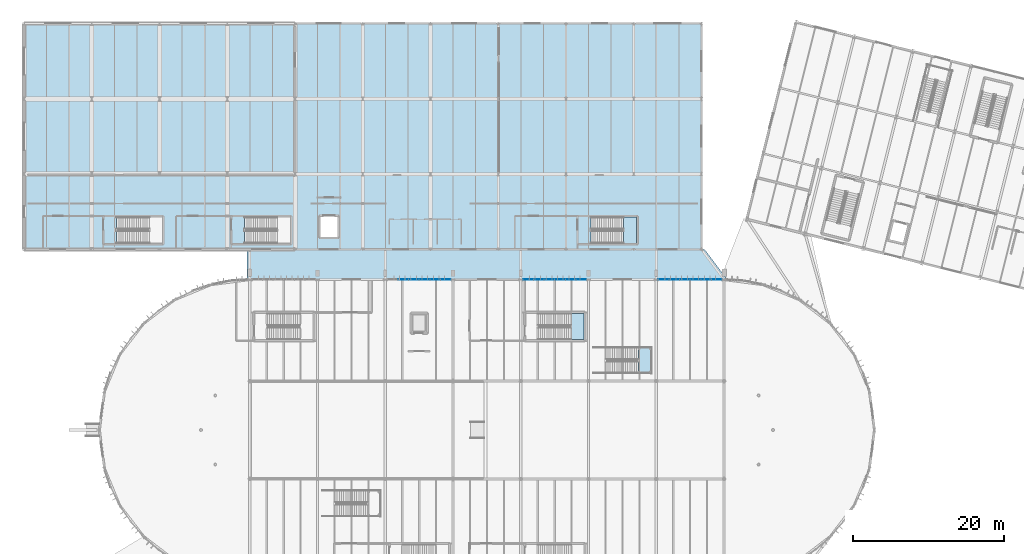
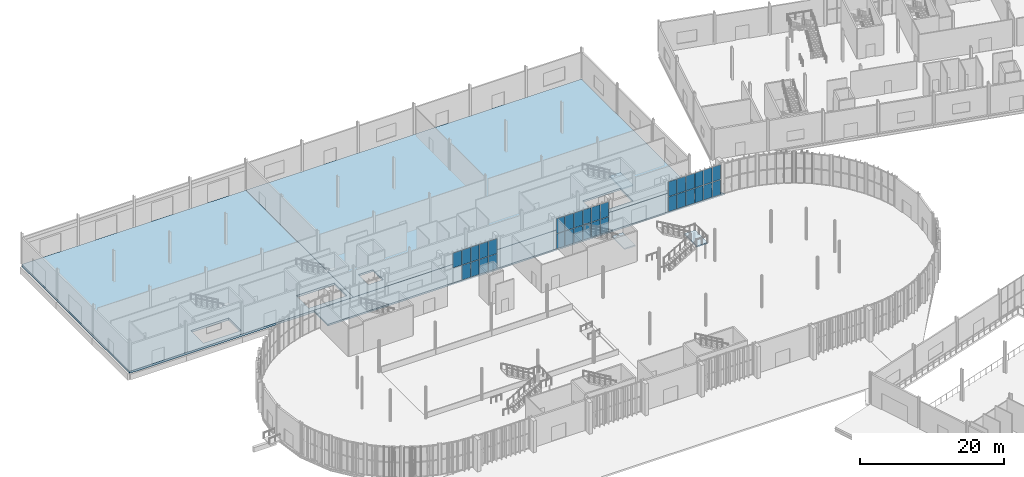
# One storey, part 111 of 158: 33 plates, 6 slabs, 6 elements without a shape of their own.
"""IFC4 building model written with IfcOpenShell, lengths in metres."""

from ifc_helpers import new_model, si_unit, derived_unit, direction, frame, origin, origin_2d, place, context, subcontext, project, spatial, polyline, rectangle, outline, extrude, material, layer, layer_set, type_object, element, aggregate, save


model = new_model("IFC4")

# Units and contexts
model_context = context("Model", 3, precision=1e-05, world=origin(), true_north=direction((0.0, 1.0)))
body_context = subcontext(model_context, "Body", "Model", "MODEL_VIEW")
ifc_project = project(units=[si_unit("LENGTHUNIT", "METRE"), si_unit("AREAUNIT", "SQUARE_METRE"), si_unit("VOLUMEUNIT", "CUBIC_METRE"), si_unit("PLANEANGLEUNIT", "RADIAN"), si_unit("MASSUNIT", "GRAM", prefix="KILO"), si_unit("THERMODYNAMICTEMPERATUREUNIT", "KELVIN"), si_unit("TIMEUNIT", "SECOND"), derived_unit("THERMALTRANSMITTANCEUNIT", [(si_unit("MASSUNIT", "GRAM", prefix="KILO"), 1), (si_unit("THERMODYNAMICTEMPERATUREUNIT", "KELVIN"), -1), (si_unit("TIMEUNIT", "SECOND"), -3)])], contexts=[model_context])

# Site, building, storey
site_placement = place(None, origin())
site = spatial("IfcSite", under=ifc_project, at=site_placement, CompositionType="ELEMENT")
building_placement = place(site_placement, origin())
building = spatial("IfcBuilding", under=site, at=building_placement, Name="Cambertide Market Hall", CompositionType="ELEMENT")
storey_placement = place(building_placement, origin())
storey = spatial("IfcBuildingStorey", under=building, at=storey_placement, Name="L01", CompositionType="ELEMENT", Elevation=0.0)

# Stair, slab
ifc_material_1 = material(Name="Concrete B35", Category="concrete")
stair_type_1 = type_object("IfcStairType", Name="Concrete Dogleg Stair ST-01B", PredefinedType="HALF_TURN_STAIR", material=ifc_material_1)
stair_1_placement = place(storey_placement, origin())
stair_1 = element("IfcStair", 1, at=stair_1_placement, inside=storey, type_object=stair_type_1, Name="Level 1 Exit Stair Core 01B", PredefinedType="HALF_TURN_STAIR")
ifc_material_2 = material(Name="Concrete B35", Category="concrete")
ifc_layer_1 = layer(ifc_material_2, 0.199951171875, Name="Concrete Stair Half-Landing 200")
ifc_layer_set_1 = layer_set([ifc_layer_1], Name="Concrete B35")
slab_type_1 = type_object("IfcSlabType", Name="Concrete Stair Half-Landing 200", PredefinedType="LANDING", material=ifc_layer_set_1)
slab_1_placement = place(storey_placement, frame((0.0, 0.0, 2.5)))
slab_1 = element("IfcSlab", 2, at=slab_1_placement, type_object=slab_type_1, Name="ST-01B landing 1", PredefinedType="LANDING", context=body_context, shape_type="SweptSolid", body=[
    extrude(outline(polyline([(84.64599609375, 84.0), (86.39990234375, 84.0), (86.39990234375, 87.5), (84.64599609375, 87.5), (84.64599609375, 84.0)])), origin(), (0.0, 0.0, 1.0), 0.199951171875),
])
aggregate(stair_1, [slab_1])

ifc_material_3 = material(Name="Concrete B35", Category="concrete")
stair_type_2 = type_object("IfcStairType", Name="Concrete Dogleg Stair ST-04", PredefinedType="HALF_TURN_STAIR", material=ifc_material_3)
stair_2_placement = place(storey_placement, origin())
stair_2 = element("IfcStair", 3, at=stair_2_placement, inside=storey, type_object=stair_type_2, Name="Level 1 Exit Stair Core 04", PredefinedType="HALF_TURN_STAIR")
slab_2_placement = place(storey_placement, frame((0.0, 0.0, 2.5)))
slab_2 = element("IfcSlab", 4, at=slab_2_placement, type_object=slab_type_1, Name="ST-04 landing 1", PredefinedType="LANDING", context=body_context, shape_type="SweptSolid", body=[
    extrude(outline(polyline([(91.64599609375, 96.800048828125), (93.39990234375, 96.800048828125), (93.39990234375, 100.300048828125), (91.64599609375, 100.300048828125), (91.64599609375, 96.800048828125)])), origin(), (0.0, 0.0, 1.0), 0.199951171875),
])
aggregate(stair_2, [slab_2])

ifc_material_4 = material(Name="Concrete B35", Category="concrete")
stair_type_3 = type_object("IfcStairType", Name="Concrete Dogleg Stair ST-11", PredefinedType="HALF_TURN_STAIR", material=ifc_material_4)
stair_3_placement = place(storey_placement, origin())
stair_3 = element("IfcStair", 5, at=stair_3_placement, inside=storey, type_object=stair_type_3, Name="Level 1 East Lantern Mezzanine Feature Stair", PredefinedType="HALF_TURN_STAIR")
slab_3_placement = place(storey_placement, frame((0.0, 0.0, 2.5)))
slab_3 = element("IfcSlab", 6, at=slab_3_placement, type_object=slab_type_1, Name="ST-11 landing 1", PredefinedType="LANDING", context=body_context, shape_type="SweptSolid", body=[
    extrude(outline(polyline([(93.64599609375, 79.5), (95.39990234375, 79.5), (95.39990234375, 83.0), (93.64599609375, 83.0), (93.64599609375, 79.5)])), origin(), (0.0, 0.0, 1.0), 0.199951171875),
])
aggregate(stair_3, [slab_3])

# Slabs
ifc_material_5 = material(Name="Concrete B35", Category="concrete")
ifc_layer_2 = layer(ifc_material_5, 0.280029296875, Name="Exterior Entry Apron & Colonnade Slab 280")
ifc_layer_set_2 = layer_set([ifc_layer_2], Name="Concrete B35")
slab_type_2 = type_object("IfcSlabType", Name="Exterior Entry Apron & Colonnade Slab 280", PredefinedType="FLOOR", material=ifc_layer_set_2)
slab_4_placement = place(storey_placement, frame((0.0, 0.0, -0.280029296875)))
element("IfcSlab", 7, at=slab_4_placement, inside=storey, type_object=slab_type_2, Name="Level 1 Slab SLB-L01-MJ1", PredefinedType="FLOOR", context=body_context, shape_type="SweptSolid", body=[
    extrude(outline(polyline([(102.39990234375, 95.9951171875), (102.010009765625, 95.9951171875), (102.010009765625, 95.989990234375), (41.60009765625, 95.989990234375), (41.60009765625, 92.02880859375), (41.998291015625, 92.054931640625), (105.001708984375, 92.054931640625), (105.381103515625, 92.030029296875), (102.39990234375, 95.9951171875)])), origin(), (0.0, 0.0, 1.0), 0.280029296875),
])
ifc_material_6 = material(Name="Concrete B35", Category="concrete")
ifc_layer_3 = layer(ifc_material_6, 0.300048828125, Name="Ground Plinth Structural Slab 300")
ifc_layer_set_3 = layer_set([ifc_layer_3], Name="Concrete B35")
slab_type_3 = type_object("IfcSlabType", Name="Ground Plinth Structural Slab 300", PredefinedType="FLOOR", material=ifc_layer_set_3)
slab_5_placement = place(storey_placement, frame((0.0, 0.0, -0.300048828125)))
element("IfcSlab", 8, at=slab_5_placement, inside=storey, type_object=slab_type_3, Name="Level 1 Slab SLB-L01-V2E", PredefinedType="FLOOR", context=body_context, shape_type="SweptSolid", body=[
    extrude(outline(polyline([(48.0, 96.0), (102.0, 96.0), (102.0, 126.0), (48.0, 126.0), (48.0, 96.0)]), holes=[polyline([(87.303955078125, 100.300048828125), (93.39990234375, 100.300048828125), (93.39990234375, 96.800048828125), (87.303955078125, 96.800048828125), (87.303955078125, 100.300048828125)]), polyline([(51.300048828125, 100.39990234375), (53.699951171875, 100.39990234375), (53.699951171875, 97.60009765625), (51.300048828125, 97.60009765625), (51.300048828125, 100.39990234375)])]), origin(), (0.0, 0.0, 1.0), 0.300048828125),
])
ifc_material_7 = material(Name="Concrete B35", Category="concrete")
ifc_layer_4 = layer(ifc_material_7, 0.360107421875, Name="Heavy HGV Loading Dock Slab 360")
ifc_layer_set_4 = layer_set([ifc_layer_4], Name="Concrete B35")
slab_type_4 = type_object("IfcSlabType", Name="Heavy HGV Loading Dock Slab 360", PredefinedType="FLOOR", material=ifc_layer_set_4)
slab_6_placement = place(storey_placement, frame((0.0, 0.0, -0.360107421875)))
element("IfcSlab", 9, at=slab_6_placement, inside=storey, type_object=slab_type_4, Name="Level 1 Slab SLB-L01-V2W", PredefinedType="FLOOR", context=body_context, shape_type="SweptSolid", body=[
    extrude(outline(polyline([(12.0, 96.0), (48.0, 96.0), (48.0, 126.0), (12.0, 126.0), (12.0, 96.0)]), holes=[polyline([(24.303955078125, 100.300048828125), (30.39990234375, 100.300048828125), (30.39990234375, 96.800048828125), (24.303955078125, 96.800048828125), (24.303955078125, 100.300048828125)]), polyline([(41.303955078125, 100.300048828125), (47.39990234375, 100.300048828125), (47.39990234375, 96.800048828125), (41.303955078125, 96.800048828125), (41.303955078125, 100.300048828125)])]), origin(), (0.0, 0.0, 1.0), 0.360107421875),
])

# Curtain wall, plates
ifc_material_8 = material(Name="Marine Anodized Aluminium 6063-T6 AA25", Category="aluminium")
curtain_wall_type = type_object("IfcCurtainWallType", Name="Lantern Straight Lower Curtain Wall", PredefinedType="USERDEFINED", material=ifc_material_8)
curtain_wall_1_placement = place(storey_placement, origin())
curtain_wall_1 = element("IfcCurtainWall", 10, at=curtain_wall_1_placement, inside=storey, type_object=curtain_wall_type, Name="Level 1 Curtain Wall CW-V1N-L01-3", ObjectType="UNITIZED CURTAIN WALL", PredefinedType="USERDEFINED")
ifc_material_9 = material(Name="Low-E Laminated Insulated Glass", Category="glass")
ifc_layer_5 = layer(ifc_material_9, 0.028076171875, Name="Vision Insulated Glazing Panel 28")
ifc_layer_set_5 = layer_set([ifc_layer_5], Name="Low-E Laminated Insulated Glass")
plate_type = type_object("IfcPlateType", Name="Vision Insulated Glazing Panel 28", PredefinedType="CURTAIN_PANEL", material=ifc_layer_set_5)
plate_1_placement = place(storey_placement, frame((63.791748046875, 92.0, 0.0400390625), z_axis=(0.0, 0.0, 1.0), x_axis=(1.0, 0.0, 0.0)))
plate_1 = element("IfcPlate", 11, at=plate_1_placement, type_object=plate_type, Name="CW-V1N-L01-3 Glazing Panel 1-3", PredefinedType="CURTAIN_PANEL", context=body_context, shape_type="SweptSolid", body=[
    extrude(rectangle(XDim=1.336669921875, YDim=0.028076171875, at=origin_2d()), origin(), (0.0, 0.0, 1.0), 2.5),
])
plate_2_placement = place(storey_placement, frame((65.208251953125, 92.0, 0.0400390625), z_axis=(0.0, 0.0, 1.0), x_axis=(1.0, 0.0, 0.0)))
plate_2 = element("IfcPlate", 12, at=plate_2_placement, type_object=plate_type, Name="CW-V1N-L01-3 Glazing Panel 1-4", PredefinedType="CURTAIN_PANEL", context=body_context, shape_type="SweptSolid", body=[
    extrude(rectangle(XDim=1.336669921875, YDim=0.028076171875, at=origin_2d()), origin(), (0.0, 0.0, 1.0), 2.5),
])
plate_3_placement = place(storey_placement, frame((66.625, 92.0, 0.0400390625), z_axis=(0.0, 0.0, 1.0), x_axis=(1.0, 0.0, 0.0)))
plate_3 = element("IfcPlate", 13, at=plate_3_placement, type_object=plate_type, Name="CW-V1N-L01-3 Glazing Panel 1-5", PredefinedType="CURTAIN_PANEL", context=body_context, shape_type="SweptSolid", body=[
    extrude(rectangle(XDim=1.336669921875, YDim=0.028076171875, at=origin_2d()), origin(), (0.0, 0.0, 1.0), 2.5),
])
plate_4_placement = place(storey_placement, frame((68.041748046875, 92.0, 0.0400390625), z_axis=(0.0, 0.0, 1.0), x_axis=(1.0, 0.0, 0.0)))
plate_4 = element("IfcPlate", 14, at=plate_4_placement, type_object=plate_type, Name="CW-V1N-L01-3 Glazing Panel 1-6", PredefinedType="CURTAIN_PANEL", context=body_context, shape_type="SweptSolid", body=[
    extrude(rectangle(XDim=1.336669921875, YDim=0.028076171875, at=origin_2d()), origin(), (0.0, 0.0, 1.0), 2.5),
])
plate_5_placement = place(storey_placement, frame((62.375, 92.0, 2.6201171875), z_axis=(0.0, 0.0, 1.0), x_axis=(1.0, 0.0, 0.0)))
plate_5 = element("IfcPlate", 15, at=plate_5_placement, type_object=plate_type, Name="CW-V1N-L01-3 Glazing Panel 2-2", PredefinedType="CURTAIN_PANEL", context=body_context, shape_type="SweptSolid", body=[
    extrude(rectangle(XDim=1.336669921875, YDim=0.028076171875, at=origin_2d()), origin(), (0.0, 0.0, 1.0), 2.5),
])
plate_6_placement = place(storey_placement, frame((63.791748046875, 92.0, 2.6201171875), z_axis=(0.0, 0.0, 1.0), x_axis=(1.0, 0.0, 0.0)))
plate_6 = element("IfcPlate", 16, at=plate_6_placement, type_object=plate_type, Name="CW-V1N-L01-3 Glazing Panel 2-3", PredefinedType="CURTAIN_PANEL", context=body_context, shape_type="SweptSolid", body=[
    extrude(rectangle(XDim=1.336669921875, YDim=0.028076171875, at=origin_2d()), origin(), (0.0, 0.0, 1.0), 2.5),
])
plate_7_placement = place(storey_placement, frame((65.208251953125, 92.0, 2.6201171875), z_axis=(0.0, 0.0, 1.0), x_axis=(1.0, 0.0, 0.0)))
plate_7 = element("IfcPlate", 17, at=plate_7_placement, type_object=plate_type, Name="CW-V1N-L01-3 Glazing Panel 2-4", PredefinedType="CURTAIN_PANEL", context=body_context, shape_type="SweptSolid", body=[
    extrude(rectangle(XDim=1.336669921875, YDim=0.028076171875, at=origin_2d()), origin(), (0.0, 0.0, 1.0), 2.5),
])
plate_8_placement = place(storey_placement, frame((66.625, 92.0, 2.6201171875), z_axis=(0.0, 0.0, 1.0), x_axis=(1.0, 0.0, 0.0)))
plate_8 = element("IfcPlate", 18, at=plate_8_placement, type_object=plate_type, Name="CW-V1N-L01-3 Glazing Panel 2-5", PredefinedType="CURTAIN_PANEL", context=body_context, shape_type="SweptSolid", body=[
    extrude(rectangle(XDim=1.336669921875, YDim=0.028076171875, at=origin_2d()), origin(), (0.0, 0.0, 1.0), 2.5),
])
plate_9_placement = place(storey_placement, frame((68.041748046875, 92.0, 2.6201171875), z_axis=(0.0, 0.0, 1.0), x_axis=(1.0, 0.0, 0.0)))
plate_9 = element("IfcPlate", 19, at=plate_9_placement, type_object=plate_type, Name="CW-V1N-L01-3 Glazing Panel 2-6", PredefinedType="CURTAIN_PANEL", context=body_context, shape_type="SweptSolid", body=[
    extrude(rectangle(XDim=1.336669921875, YDim=0.028076171875, at=origin_2d()), origin(), (0.0, 0.0, 1.0), 2.5),
])
aggregate(curtain_wall_1, [plate_1, plate_2, plate_3, plate_4, plate_5, plate_6, plate_7, plate_8, plate_9])

curtain_wall_2_placement = place(storey_placement, origin())
curtain_wall_2 = element("IfcCurtainWall", 20, at=curtain_wall_2_placement, inside=storey, type_object=curtain_wall_type, Name="Level 1 Curtain Wall CW-V1N-L01-5", ObjectType="UNITIZED CURTAIN WALL", PredefinedType="USERDEFINED")
plate_10_placement = place(storey_placement, frame((78.958251953125, 92.0, 0.0400390625), z_axis=(0.0, 0.0, 1.0), x_axis=(1.0, 0.0, 0.0)))
plate_10 = element("IfcPlate", 21, at=plate_10_placement, type_object=plate_type, Name="CW-V1N-L01-5 Glazing Panel 1-1", PredefinedType="CURTAIN_PANEL", context=body_context, shape_type="SweptSolid", body=[
    extrude(rectangle(XDim=1.336669921875, YDim=0.028076171875, at=origin_2d()), origin(), (0.0, 0.0, 1.0), 2.5),
])
plate_11_placement = place(storey_placement, frame((80.375, 92.0, 0.0400390625), z_axis=(0.0, 0.0, 1.0), x_axis=(1.0, 0.0, 0.0)))
plate_11 = element("IfcPlate", 22, at=plate_11_placement, type_object=plate_type, Name="CW-V1N-L01-5 Glazing Panel 1-2", PredefinedType="CURTAIN_PANEL", context=body_context, shape_type="SweptSolid", body=[
    extrude(rectangle(XDim=1.336669921875, YDim=0.028076171875, at=origin_2d()), origin(), (0.0, 0.0, 1.0), 2.5),
])
plate_12_placement = place(storey_placement, frame((81.791748046875, 92.0, 0.0400390625), z_axis=(0.0, 0.0, 1.0), x_axis=(1.0, 0.0, 0.0)))
plate_12 = element("IfcPlate", 23, at=plate_12_placement, type_object=plate_type, Name="CW-V1N-L01-5 Glazing Panel 1-3", PredefinedType="CURTAIN_PANEL", context=body_context, shape_type="SweptSolid", body=[
    extrude(rectangle(XDim=1.336669921875, YDim=0.028076171875, at=origin_2d()), origin(), (0.0, 0.0, 1.0), 2.5),
])
plate_13_placement = place(storey_placement, frame((83.208251953125, 92.0, 0.0400390625), z_axis=(0.0, 0.0, 1.0), x_axis=(1.0, 0.0, 0.0)))
plate_13 = element("IfcPlate", 24, at=plate_13_placement, type_object=plate_type, Name="CW-V1N-L01-5 Glazing Panel 1-4", PredefinedType="CURTAIN_PANEL", context=body_context, shape_type="SweptSolid", body=[
    extrude(rectangle(XDim=1.336669921875, YDim=0.028076171875, at=origin_2d()), origin(), (0.0, 0.0, 1.0), 2.5),
])
plate_14_placement = place(storey_placement, frame((84.625, 92.0, 0.0400390625), z_axis=(0.0, 0.0, 1.0), x_axis=(1.0, 0.0, 0.0)))
plate_14 = element("IfcPlate", 25, at=plate_14_placement, type_object=plate_type, Name="CW-V1N-L01-5 Glazing Panel 1-5", PredefinedType="CURTAIN_PANEL", context=body_context, shape_type="SweptSolid", body=[
    extrude(rectangle(XDim=1.336669921875, YDim=0.028076171875, at=origin_2d()), origin(), (0.0, 0.0, 1.0), 2.5),
])
plate_15_placement = place(storey_placement, frame((86.041748046875, 92.0, 0.0400390625), z_axis=(0.0, 0.0, 1.0), x_axis=(1.0, 0.0, 0.0)))
plate_15 = element("IfcPlate", 26, at=plate_15_placement, type_object=plate_type, Name="CW-V1N-L01-5 Glazing Panel 1-6", PredefinedType="CURTAIN_PANEL", context=body_context, shape_type="SweptSolid", body=[
    extrude(rectangle(XDim=1.336669921875, YDim=0.028076171875, at=origin_2d()), origin(), (0.0, 0.0, 1.0), 2.5),
])
plate_16_placement = place(storey_placement, frame((78.958251953125, 92.0, 2.6201171875), z_axis=(0.0, 0.0, 1.0), x_axis=(1.0, 0.0, 0.0)))
plate_16 = element("IfcPlate", 27, at=plate_16_placement, type_object=plate_type, Name="CW-V1N-L01-5 Glazing Panel 2-1", PredefinedType="CURTAIN_PANEL", context=body_context, shape_type="SweptSolid", body=[
    extrude(rectangle(XDim=1.336669921875, YDim=0.028076171875, at=origin_2d()), origin(), (0.0, 0.0, 1.0), 2.5),
])
plate_17_placement = place(storey_placement, frame((80.375, 92.0, 2.6201171875), z_axis=(0.0, 0.0, 1.0), x_axis=(1.0, 0.0, 0.0)))
plate_17 = element("IfcPlate", 28, at=plate_17_placement, type_object=plate_type, Name="CW-V1N-L01-5 Glazing Panel 2-2", PredefinedType="CURTAIN_PANEL", context=body_context, shape_type="SweptSolid", body=[
    extrude(rectangle(XDim=1.336669921875, YDim=0.028076171875, at=origin_2d()), origin(), (0.0, 0.0, 1.0), 2.5),
])
plate_18_placement = place(storey_placement, frame((81.791748046875, 92.0, 2.6201171875), z_axis=(0.0, 0.0, 1.0), x_axis=(1.0, 0.0, 0.0)))
plate_18 = element("IfcPlate", 29, at=plate_18_placement, type_object=plate_type, Name="CW-V1N-L01-5 Glazing Panel 2-3", PredefinedType="CURTAIN_PANEL", context=body_context, shape_type="SweptSolid", body=[
    extrude(rectangle(XDim=1.336669921875, YDim=0.028076171875, at=origin_2d()), origin(), (0.0, 0.0, 1.0), 2.5),
])
plate_19_placement = place(storey_placement, frame((83.208251953125, 92.0, 2.6201171875), z_axis=(0.0, 0.0, 1.0), x_axis=(1.0, 0.0, 0.0)))
plate_19 = element("IfcPlate", 30, at=plate_19_placement, type_object=plate_type, Name="CW-V1N-L01-5 Glazing Panel 2-4", PredefinedType="CURTAIN_PANEL", context=body_context, shape_type="SweptSolid", body=[
    extrude(rectangle(XDim=1.336669921875, YDim=0.028076171875, at=origin_2d()), origin(), (0.0, 0.0, 1.0), 2.5),
])
plate_20_placement = place(storey_placement, frame((84.625, 92.0, 2.6201171875), z_axis=(0.0, 0.0, 1.0), x_axis=(1.0, 0.0, 0.0)))
plate_20 = element("IfcPlate", 31, at=plate_20_placement, type_object=plate_type, Name="CW-V1N-L01-5 Glazing Panel 2-5", PredefinedType="CURTAIN_PANEL", context=body_context, shape_type="SweptSolid", body=[
    extrude(rectangle(XDim=1.336669921875, YDim=0.028076171875, at=origin_2d()), origin(), (0.0, 0.0, 1.0), 2.5),
])
plate_21_placement = place(storey_placement, frame((86.041748046875, 92.0, 2.6201171875), z_axis=(0.0, 0.0, 1.0), x_axis=(1.0, 0.0, 0.0)))
plate_21 = element("IfcPlate", 32, at=plate_21_placement, type_object=plate_type, Name="CW-V1N-L01-5 Glazing Panel 2-6", PredefinedType="CURTAIN_PANEL", context=body_context, shape_type="SweptSolid", body=[
    extrude(rectangle(XDim=1.336669921875, YDim=0.028076171875, at=origin_2d()), origin(), (0.0, 0.0, 1.0), 2.5),
])
aggregate(curtain_wall_2, [plate_10, plate_11, plate_12, plate_13, plate_14, plate_15, plate_16, plate_17, plate_18, plate_19, plate_20, plate_21])

curtain_wall_3_placement = place(storey_placement, origin())
curtain_wall_3 = element("IfcCurtainWall", 33, at=curtain_wall_3_placement, inside=storey, type_object=curtain_wall_type, Name="Level 1 Curtain Wall CW-V1N-L01-7", ObjectType="UNITIZED CURTAIN WALL", PredefinedType="USERDEFINED")
plate_22_placement = place(storey_placement, frame((96.958251953125, 92.0, 0.0400390625), z_axis=(0.0, 0.0, 1.0), x_axis=(1.0, 0.0, 0.0)))
plate_22 = element("IfcPlate", 34, at=plate_22_placement, type_object=plate_type, Name="CW-V1N-L01-7 Glazing Panel 1-1", PredefinedType="CURTAIN_PANEL", context=body_context, shape_type="SweptSolid", body=[
    extrude(rectangle(XDim=1.336669921875, YDim=0.028076171875, at=origin_2d()), origin(), (0.0, 0.0, 1.0), 2.5),
])
plate_23_placement = place(storey_placement, frame((98.375, 92.0, 0.0400390625), z_axis=(0.0, 0.0, 1.0), x_axis=(1.0, 0.0, 0.0)))
plate_23 = element("IfcPlate", 35, at=plate_23_placement, type_object=plate_type, Name="CW-V1N-L01-7 Glazing Panel 1-2", PredefinedType="CURTAIN_PANEL", context=body_context, shape_type="SweptSolid", body=[
    extrude(rectangle(XDim=1.336669921875, YDim=0.028076171875, at=origin_2d()), origin(), (0.0, 0.0, 1.0), 2.5),
])
plate_24_placement = place(storey_placement, frame((99.791748046875, 92.0, 0.0400390625), z_axis=(0.0, 0.0, 1.0), x_axis=(1.0, 0.0, 0.0)))
plate_24 = element("IfcPlate", 36, at=plate_24_placement, type_object=plate_type, Name="CW-V1N-L01-7 Glazing Panel 1-3", PredefinedType="CURTAIN_PANEL", context=body_context, shape_type="SweptSolid", body=[
    extrude(rectangle(XDim=1.336669921875, YDim=0.028076171875, at=origin_2d()), origin(), (0.0, 0.0, 1.0), 2.5),
])
plate_25_placement = place(storey_placement, frame((101.208251953125, 92.0, 0.0400390625), z_axis=(0.0, 0.0, 1.0), x_axis=(1.0, 0.0, 0.0)))
plate_25 = element("IfcPlate", 37, at=plate_25_placement, type_object=plate_type, Name="CW-V1N-L01-7 Glazing Panel 1-4", PredefinedType="CURTAIN_PANEL", context=body_context, shape_type="SweptSolid", body=[
    extrude(rectangle(XDim=1.336669921875, YDim=0.028076171875, at=origin_2d()), origin(), (0.0, 0.0, 1.0), 2.5),
])
plate_26_placement = place(storey_placement, frame((102.625, 92.0, 0.0400390625), z_axis=(0.0, 0.0, 1.0), x_axis=(1.0, 0.0, 0.0)))
plate_26 = element("IfcPlate", 38, at=plate_26_placement, type_object=plate_type, Name="CW-V1N-L01-7 Glazing Panel 1-5", PredefinedType="CURTAIN_PANEL", context=body_context, shape_type="SweptSolid", body=[
    extrude(rectangle(XDim=1.336669921875, YDim=0.028076171875, at=origin_2d()), origin(), (0.0, 0.0, 1.0), 2.5),
])
plate_27_placement = place(storey_placement, frame((104.041748046875, 92.0, 0.0400390625), z_axis=(0.0, 0.0, 1.0), x_axis=(1.0, 0.0, 0.0)))
plate_27 = element("IfcPlate", 39, at=plate_27_placement, type_object=plate_type, Name="CW-V1N-L01-7 Glazing Panel 1-6", PredefinedType="CURTAIN_PANEL", context=body_context, shape_type="SweptSolid", body=[
    extrude(rectangle(XDim=1.336669921875, YDim=0.028076171875, at=origin_2d()), origin(), (0.0, 0.0, 1.0), 2.5),
])
plate_28_placement = place(storey_placement, frame((96.958251953125, 92.0, 2.6201171875), z_axis=(0.0, 0.0, 1.0), x_axis=(1.0, 0.0, 0.0)))
plate_28 = element("IfcPlate", 40, at=plate_28_placement, type_object=plate_type, Name="CW-V1N-L01-7 Glazing Panel 2-1", PredefinedType="CURTAIN_PANEL", context=body_context, shape_type="SweptSolid", body=[
    extrude(rectangle(XDim=1.336669921875, YDim=0.028076171875, at=origin_2d()), origin(), (0.0, 0.0, 1.0), 2.5),
])
plate_29_placement = place(storey_placement, frame((98.375, 92.0, 2.6201171875), z_axis=(0.0, 0.0, 1.0), x_axis=(1.0, 0.0, 0.0)))
plate_29 = element("IfcPlate", 41, at=plate_29_placement, type_object=plate_type, Name="CW-V1N-L01-7 Glazing Panel 2-2", PredefinedType="CURTAIN_PANEL", context=body_context, shape_type="SweptSolid", body=[
    extrude(rectangle(XDim=1.336669921875, YDim=0.028076171875, at=origin_2d()), origin(), (0.0, 0.0, 1.0), 2.5),
])
plate_30_placement = place(storey_placement, frame((99.791748046875, 92.0, 2.6201171875), z_axis=(0.0, 0.0, 1.0), x_axis=(1.0, 0.0, 0.0)))
plate_30 = element("IfcPlate", 42, at=plate_30_placement, type_object=plate_type, Name="CW-V1N-L01-7 Glazing Panel 2-3", PredefinedType="CURTAIN_PANEL", context=body_context, shape_type="SweptSolid", body=[
    extrude(rectangle(XDim=1.336669921875, YDim=0.028076171875, at=origin_2d()), origin(), (0.0, 0.0, 1.0), 2.5),
])
plate_31_placement = place(storey_placement, frame((101.208251953125, 92.0, 2.6201171875), z_axis=(0.0, 0.0, 1.0), x_axis=(1.0, 0.0, 0.0)))
plate_31 = element("IfcPlate", 43, at=plate_31_placement, type_object=plate_type, Name="CW-V1N-L01-7 Glazing Panel 2-4", PredefinedType="CURTAIN_PANEL", context=body_context, shape_type="SweptSolid", body=[
    extrude(rectangle(XDim=1.336669921875, YDim=0.028076171875, at=origin_2d()), origin(), (0.0, 0.0, 1.0), 2.5),
])
plate_32_placement = place(storey_placement, frame((102.625, 92.0, 2.6201171875), z_axis=(0.0, 0.0, 1.0), x_axis=(1.0, 0.0, 0.0)))
plate_32 = element("IfcPlate", 44, at=plate_32_placement, type_object=plate_type, Name="CW-V1N-L01-7 Glazing Panel 2-5", PredefinedType="CURTAIN_PANEL", context=body_context, shape_type="SweptSolid", body=[
    extrude(rectangle(XDim=1.336669921875, YDim=0.028076171875, at=origin_2d()), origin(), (0.0, 0.0, 1.0), 2.5),
])
plate_33_placement = place(storey_placement, frame((104.041748046875, 92.0, 2.6201171875), z_axis=(0.0, 0.0, 1.0), x_axis=(1.0, 0.0, 0.0)))
plate_33 = element("IfcPlate", 45, at=plate_33_placement, type_object=plate_type, Name="CW-V1N-L01-7 Glazing Panel 2-6", PredefinedType="CURTAIN_PANEL", context=body_context, shape_type="SweptSolid", body=[
    extrude(rectangle(XDim=1.336669921875, YDim=0.028076171875, at=origin_2d()), origin(), (0.0, 0.0, 1.0), 2.5),
])
aggregate(curtain_wall_3, [plate_22, plate_23, plate_24, plate_25, plate_26, plate_27, plate_28, plate_29, plate_30, plate_31, plate_32, plate_33])

save(model, "model.ifc")
